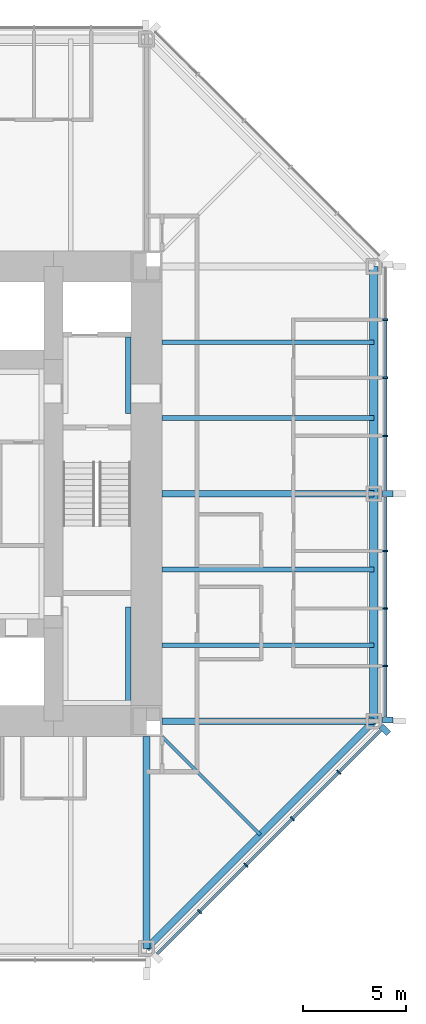
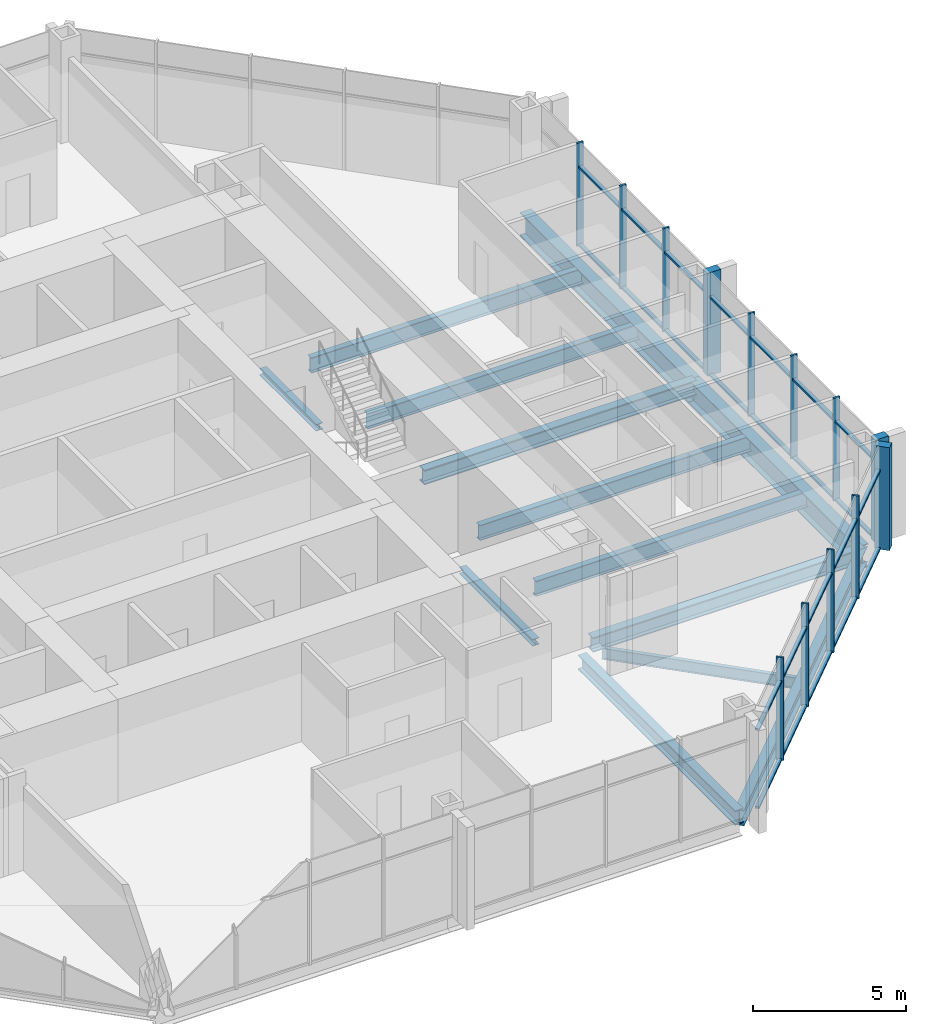
# One storey, part 4 of 14: 37 members, 13 beams, 2 elements without a shape of their own.
"""IFC4 building model written with IfcOpenShell, lengths in metres."""

from ifc_helpers import new_model, si_unit, direction, frame, origin, origin_2d, place, context, subcontext, project, spatial, rectangle, i_section, extrude, material, material_profile, profile_set, type_object, element, aggregate, save


model = new_model("IFC4")

# Units and contexts
model_context = context("Model", 3, precision=1e-05, world=origin(), true_north=direction((0.0, 1.0)))
body_context = subcontext(model_context, "Body", "Model", "MODEL_VIEW")
ifc_project = project(units=[si_unit("LENGTHUNIT", "METRE"), si_unit("AREAUNIT", "SQUARE_METRE"), si_unit("VOLUMEUNIT", "CUBIC_METRE"), si_unit("PLANEANGLEUNIT", "RADIAN"), si_unit("MASSUNIT", "GRAM", prefix="KILO")], contexts=[model_context])

# Site, building, storey
site_placement = place(None, origin())
site = spatial("IfcSite", under=ifc_project, at=site_placement, CompositionType="ELEMENT")
building_placement = place(site_placement, origin())
building = spatial("IfcBuilding", under=site, at=building_placement, Name="Trevanion Tower", CompositionType="ELEMENT")
storey_placement = place(building_placement, frame((0.0, 0.0, 104.89990234375)))
storey = spatial("IfcBuildingStorey", under=building, at=storey_placement, Name="L24", CompositionType="ELEMENT", Elevation=104.89990234375)

# Beams
ifc_material_1 = material(Name="Steel ASTM A992 Grade 50", Category="steel")
ifc_material_profile_1 = material_profile(ifc_material_1, i_section(OverallWidth=0.22900390625, OverallDepth=0.612060546875, WebThickness=0.011962890625, FlangeThickness=0.01953125, at=origin_2d()), Name="W24X84")
ifc_profile_set_1 = profile_set([ifc_material_profile_1], Name="Steel ASTM A992 Grade 50")
beam_type_1 = type_object("IfcBeamType", Name="B7 W24X84", PredefinedType="BEAM", material=ifc_profile_set_1)
for number, where, z_axis, x_axis, name in (
    (1, (11.75, -7.333251953125, -0.49609375), (1.0, 0.0, 0.0), (0.0, 1.0, 0.0), "B7 L24"),
    (2, (11.75, -3.666748046875, -0.49609375), (1.0, 0.0, 0.0), (0.0, 1.0, 0.0), "B7 L24"),
    (3, (11.75, 3.666748046875, -0.49609375), (1.0, 0.0, 0.0), (0.0, 1.0, 0.0), "B7 L24"),
    (4, (11.75, 7.333251953125, -0.49609375), (1.0, 0.0, 0.0), (0.0, 1.0, 0.0), "B7 L24"),
):
    element("IfcBeam", number, at=place(storey_placement, frame(where, z_axis=z_axis, x_axis=x_axis)), inside=storey, type_object=beam_type_1, Name=name, PredefinedType="BEAM", context=body_context, shape_type="SweptSolid", body=[
        extrude(i_section(OverallWidth=0.22900390625, OverallDepth=0.612060546875, WebThickness=0.011962890625, FlangeThickness=0.01953125, at=origin_2d()), origin(), (0.0, 0.0, 1.0), 10.25),
    ])
ifc_material_2 = material(Name="Steel ASTM A992 Grade 50", Category="steel")
ifc_material_profile_2 = material_profile(ifc_material_2, i_section(OverallWidth=0.15234375, OverallDepth=0.449462890625, WebThickness=0.007568359375, FlangeThickness=0.0107421875, at=origin_2d()), Name="W18X35")
ifc_profile_set_2 = profile_set([ifc_material_profile_2], Name="Steel ASTM A992 Grade 50")
beam_type_2 = type_object("IfcBeamType", Name="B8 W18X35", PredefinedType="BEAM", material=ifc_profile_set_2)
beam_1_placement = place(storey_placement, frame((11.75, -11.75, -0.414794921875), z_axis=(0.707106781187, -0.707106781187, 0.0), x_axis=(0.707106781187, 0.707106781187, 0.0)))
element("IfcBeam", 5, at=beam_1_placement, inside=storey, type_object=beam_type_2, Name="B8 L24", PredefinedType="BEAM", context=body_context, shape_type="SweptSolid", body=[
    extrude(i_section(OverallWidth=0.15234375, OverallDepth=0.449462890625, WebThickness=0.007568359375, FlangeThickness=0.0107421875, at=origin_2d()), origin(), (0.0, 0.0, 1.0), 6.717529296875),
])

# Curtain wall, members
ifc_material_3 = material(Name="Aluminium and glass", Category="aluminium")
curtain_wall_type = type_object("IfcCurtainWallType", Name="CW2 curtain wall", PredefinedType="USERDEFINED", material=ifc_material_3)
curtain_wall_1_placement = place(storey_placement, origin())
curtain_wall_1 = element("IfcCurtainWall", 6, at=curtain_wall_1_placement, inside=storey, type_object=curtain_wall_type, Name="CW2 L24 0", ObjectType="UNITISED CURTAIN WALL", PredefinedType="USERDEFINED")
ifc_material_4 = material(Name="Aluminium extrusion, anodised bronze", Category="aluminium")
ifc_material_profile_3 = material_profile(ifc_material_4, rectangle(XDim=0.074951171875, YDim=0.25, at=origin_2d()), Name="CW2 mullion")
ifc_profile_set_3 = profile_set([ifc_material_profile_3], Name="Aluminium extrusion, anodised bronze")
member_type_1 = type_object("IfcMemberType", Name="CW2 mullion", PredefinedType="MULLION", material=ifc_profile_set_3)
member_1_placement = place(storey_placement, frame((22.550048828125, -8.323486328125, -0.18994140625), z_axis=(0.0, 0.0, 1.0), x_axis=(0.0, 1.0, 0.0)))
member_1 = element("IfcMember", 7, at=member_1_placement, type_object=member_type_1, Name="CW2 mullion 2", PredefinedType="MULLION", context=body_context, shape_type="SweptSolid", body=[
    extrude(rectangle(XDim=0.074951171875, YDim=0.25, at=origin_2d()), origin(), (0.0, 0.0, 1.0), 4.10009765625),
])
member_2_placement = place(storey_placement, frame((22.550048828125, -5.548828125, -0.18994140625), z_axis=(0.0, 0.0, 1.0), x_axis=(0.0, 1.0, 0.0)))
member_2 = element("IfcMember", 8, at=member_2_placement, type_object=member_type_1, Name="CW2 mullion 3", PredefinedType="MULLION", context=body_context, shape_type="SweptSolid", body=[
    extrude(rectangle(XDim=0.074951171875, YDim=0.25, at=origin_2d()), origin(), (0.0, 0.0, 1.0), 4.10009765625),
])
member_3_placement = place(storey_placement, frame((22.550048828125, -2.7744140625, -0.18994140625), z_axis=(0.0, 0.0, 1.0), x_axis=(0.0, 1.0, 0.0)))
member_3 = element("IfcMember", 9, at=member_3_placement, type_object=member_type_1, Name="CW2 mullion 4", PredefinedType="MULLION", context=body_context, shape_type="SweptSolid", body=[
    extrude(rectangle(XDim=0.074951171875, YDim=0.25, at=origin_2d()), origin(), (0.0, 0.0, 1.0), 4.10009765625),
])
member_4_placement = place(storey_placement, frame((22.550048828125, 2.806884765625, -0.18994140625), z_axis=(0.0, 0.0, 1.0), x_axis=(0.0, 1.0, 0.0)))
member_4 = element("IfcMember", 10, at=member_4_placement, type_object=member_type_1, Name="CW2 mullion 6", PredefinedType="MULLION", context=body_context, shape_type="SweptSolid", body=[
    extrude(rectangle(XDim=0.074951171875, YDim=0.25, at=origin_2d()), origin(), (0.0, 0.0, 1.0), 4.10009765625),
])
member_5_placement = place(storey_placement, frame((22.550048828125, 5.614013671875, -0.18994140625), z_axis=(0.0, 0.0, 1.0), x_axis=(0.0, 1.0, 0.0)))
member_5 = element("IfcMember", 11, at=member_5_placement, type_object=member_type_1, Name="CW2 mullion 7", PredefinedType="MULLION", context=body_context, shape_type="SweptSolid", body=[
    extrude(rectangle(XDim=0.074951171875, YDim=0.25, at=origin_2d()), origin(), (0.0, 0.0, 1.0), 4.10009765625),
])
member_6_placement = place(storey_placement, frame((22.550048828125, 8.4208984375, -0.18994140625), z_axis=(0.0, 0.0, 1.0), x_axis=(0.0, 1.0, 0.0)))
member_6 = element("IfcMember", 12, at=member_6_placement, type_object=member_type_1, Name="CW2 mullion 8", PredefinedType="MULLION", context=body_context, shape_type="SweptSolid", body=[
    extrude(rectangle(XDim=0.074951171875, YDim=0.25, at=origin_2d()), origin(), (0.0, 0.0, 1.0), 4.10009765625),
])

curtain_wall_2_placement = place(storey_placement, origin())
curtain_wall_2 = element("IfcCurtainWall", 13, at=curtain_wall_2_placement, inside=storey, type_object=curtain_wall_type, Name="CW2 L24 7", ObjectType="UNITISED CURTAIN WALL", PredefinedType="USERDEFINED")
member_7_placement = place(storey_placement, frame((13.56591796875, -20.2119140625, -0.18994140625), z_axis=(0.0, 0.0, 1.0), x_axis=(0.707106781187, 0.707106781187, 0.0)))
member_7 = element("IfcMember", 14, at=member_7_placement, type_object=member_type_1, Name="CW2 mullion 2", PredefinedType="MULLION", context=body_context, shape_type="SweptSolid", body=[
    extrude(rectangle(XDim=0.074951171875, YDim=0.25, at=origin_2d()), origin(), (0.0, 0.0, 1.0), 4.10009765625),
])
member_8_placement = place(storey_placement, frame((15.811767578125, -17.966064453125, -0.18994140625), z_axis=(0.0, 0.0, 1.0), x_axis=(0.707106781187, 0.707106781187, 0.0)))
member_8 = element("IfcMember", 15, at=member_8_placement, type_object=member_type_1, Name="CW2 mullion 3", PredefinedType="MULLION", context=body_context, shape_type="SweptSolid", body=[
    extrude(rectangle(XDim=0.074951171875, YDim=0.25, at=origin_2d()), origin(), (0.0, 0.0, 1.0), 4.10009765625),
])
member_9_placement = place(storey_placement, frame((18.057861328125, -15.719970703125, -0.18994140625), z_axis=(0.0, 0.0, 1.0), x_axis=(0.707106781187, 0.707106781187, 0.0)))
member_9 = element("IfcMember", 16, at=member_9_placement, type_object=member_type_1, Name="CW2 mullion 4", PredefinedType="MULLION", context=body_context, shape_type="SweptSolid", body=[
    extrude(rectangle(XDim=0.074951171875, YDim=0.25, at=origin_2d()), origin(), (0.0, 0.0, 1.0), 4.10009765625),
])
member_10_placement = place(storey_placement, frame((20.303955078125, -13.473876953125, -0.18994140625), z_axis=(0.0, 0.0, 1.0), x_axis=(0.707106781187, 0.707106781187, 0.0)))
member_10 = element("IfcMember", 17, at=member_10_placement, type_object=member_type_1, Name="CW2 mullion 5", PredefinedType="MULLION", context=body_context, shape_type="SweptSolid", body=[
    extrude(rectangle(XDim=0.074951171875, YDim=0.25, at=origin_2d()), origin(), (0.0, 0.0, 1.0), 4.10009765625),
])

# Member
ifc_material_5 = material(Name="Aluminium extrusion, anodised bronze", Category="aluminium")
ifc_material_profile_4 = material_profile(ifc_material_5, rectangle(XDim=0.300048828125, YDim=0.5, at=origin_2d()), Name="CW2 pier mullion")
ifc_profile_set_4 = profile_set([ifc_material_profile_4], Name="Aluminium extrusion, anodised bronze")
member_type_2 = type_object("IfcMemberType", Name="CW2 pier mullion", PredefinedType="MULLION", material=ifc_profile_set_4)
member_11_placement = place(storey_placement, frame((22.675048828125, -10.94775390625, -0.18994140625), z_axis=(0.0, 0.0, 1.0), x_axis=(0.0, 1.0, 0.0)))
member_11 = element("IfcMember", 18, at=member_11_placement, type_object=member_type_2, Name="CW2 pier mullion 1", PredefinedType="MULLION", context=body_context, shape_type="SweptSolid", body=[
    extrude(rectangle(XDim=0.300048828125, YDim=0.5, at=origin_2d()), origin(), (0.0, 0.0, 1.0), 4.10009765625),
])

member_12_placement = place(storey_placement, frame((22.675048828125, 0.0, -0.18994140625), z_axis=(0.0, 0.0, 1.0), x_axis=(0.0, 1.0, 0.0)))
member_12 = element("IfcMember", 19, at=member_12_placement, type_object=member_type_2, Name="CW2 pier mullion 5", PredefinedType="MULLION", context=body_context, shape_type="SweptSolid", body=[
    extrude(rectangle(XDim=0.300048828125, YDim=0.5, at=origin_2d()), origin(), (0.0, 0.0, 1.0), 4.10009765625),
])

member_13_placement = place(storey_placement, frame((22.5322265625, -11.42236328125, -0.18994140625), z_axis=(0.0, 0.0, 1.0), x_axis=(0.707106781187, 0.707106781187, 0.0)))
member_13 = element("IfcMember", 20, at=member_13_placement, type_object=member_type_2, Name="CW2 pier mullion 6", PredefinedType="MULLION", context=body_context, shape_type="SweptSolid", body=[
    extrude(rectangle(XDim=0.300048828125, YDim=0.5, at=origin_2d()), origin(), (0.0, 0.0, 1.0), 4.10009765625),
])

ifc_material_6 = material(Name="Aluminium extrusion, anodised bronze", Category="aluminium")
ifc_material_profile_5 = material_profile(ifc_material_6, rectangle(XDim=0.14990234375, YDim=0.074951171875, at=origin_2d()), Name="CW2 transom")
ifc_profile_set_5 = profile_set([ifc_material_profile_5], Name="Aluminium extrusion, anodised bronze")
member_type_3 = type_object("IfcMemberType", Name="CW2 transom", PredefinedType="USERDEFINED", material=ifc_profile_set_5)
member_14_placement = place(storey_placement, frame((22.550048828125, -10.7978515625, -0.15234375), z_axis=(0.0, 1.0, 0.0), x_axis=(-1.0, 0.0, 0.0)))
member_14 = element("IfcMember", 21, at=member_14_placement, type_object=member_type_3, Name="CW2 transom 1.1", ObjectType="TRANSOM", PredefinedType="USERDEFINED", context=body_context, shape_type="SweptSolid", body=[
    extrude(rectangle(XDim=0.14990234375, YDim=0.074951171875, at=origin_2d()), origin(), (0.0, 0.0, 1.0), 2.43701171875),
])

member_15_placement = place(storey_placement, frame((22.550048828125, -10.7978515625, 2.960205078125), z_axis=(0.0, 1.0, 0.0), x_axis=(-1.0, 0.0, 0.0)))
member_15 = element("IfcMember", 22, at=member_15_placement, type_object=member_type_3, Name="CW2 transom 1.2", ObjectType="TRANSOM", PredefinedType="USERDEFINED", context=body_context, shape_type="SweptSolid", body=[
    extrude(rectangle(XDim=0.14990234375, YDim=0.074951171875, at=origin_2d()), origin(), (0.0, 0.0, 1.0), 2.43701171875),
])

member_16_placement = place(storey_placement, frame((22.550048828125, -8.285888671875, -0.15234375), z_axis=(0.0, 1.0, 0.0), x_axis=(-1.0, 0.0, 0.0)))
member_16 = element("IfcMember", 23, at=member_16_placement, type_object=member_type_3, Name="CW2 transom 2.1", ObjectType="TRANSOM", PredefinedType="USERDEFINED", context=body_context, shape_type="SweptSolid", body=[
    extrude(rectangle(XDim=0.14990234375, YDim=0.074951171875, at=origin_2d()), origin(), (0.0, 0.0, 1.0), 2.699462890625),
])

member_17_placement = place(storey_placement, frame((22.550048828125, -8.285888671875, 2.960205078125), z_axis=(0.0, 1.0, 0.0), x_axis=(-1.0, 0.0, 0.0)))
member_17 = element("IfcMember", 24, at=member_17_placement, type_object=member_type_3, Name="CW2 transom 2.2", ObjectType="TRANSOM", PredefinedType="USERDEFINED", context=body_context, shape_type="SweptSolid", body=[
    extrude(rectangle(XDim=0.14990234375, YDim=0.074951171875, at=origin_2d()), origin(), (0.0, 0.0, 1.0), 2.699462890625),
])

member_18_placement = place(storey_placement, frame((22.550048828125, -5.511474609375, -0.15234375), z_axis=(0.0, 1.0, 0.0), x_axis=(-1.0, 0.0, 0.0)))
member_18 = element("IfcMember", 25, at=member_18_placement, type_object=member_type_3, Name="CW2 transom 3.1", ObjectType="TRANSOM", PredefinedType="USERDEFINED", context=body_context, shape_type="SweptSolid", body=[
    extrude(rectangle(XDim=0.14990234375, YDim=0.074951171875, at=origin_2d()), origin(), (0.0, 0.0, 1.0), 2.699462890625),
])

member_19_placement = place(storey_placement, frame((22.550048828125, -5.511474609375, 2.960205078125), z_axis=(0.0, 1.0, 0.0), x_axis=(-1.0, 0.0, 0.0)))
member_19 = element("IfcMember", 26, at=member_19_placement, type_object=member_type_3, Name="CW2 transom 3.2", ObjectType="TRANSOM", PredefinedType="USERDEFINED", context=body_context, shape_type="SweptSolid", body=[
    extrude(rectangle(XDim=0.14990234375, YDim=0.074951171875, at=origin_2d()), origin(), (0.0, 0.0, 1.0), 2.699462890625),
])

member_20_placement = place(storey_placement, frame((22.550048828125, -2.737060546875, -0.15234375), z_axis=(0.0, 1.0, 0.0), x_axis=(-1.0, 0.0, 0.0)))
member_20 = element("IfcMember", 27, at=member_20_placement, type_object=member_type_3, Name="CW2 transom 4.1", ObjectType="TRANSOM", PredefinedType="USERDEFINED", context=body_context, shape_type="SweptSolid", body=[
    extrude(rectangle(XDim=0.14990234375, YDim=0.074951171875, at=origin_2d()), origin(), (0.0, 0.0, 1.0), 2.587158203125),
])

member_21_placement = place(storey_placement, frame((22.550048828125, -2.737060546875, 2.960205078125), z_axis=(0.0, 1.0, 0.0), x_axis=(-1.0, 0.0, 0.0)))
member_21 = element("IfcMember", 28, at=member_21_placement, type_object=member_type_3, Name="CW2 transom 4.2", ObjectType="TRANSOM", PredefinedType="USERDEFINED", context=body_context, shape_type="SweptSolid", body=[
    extrude(rectangle(XDim=0.14990234375, YDim=0.074951171875, at=origin_2d()), origin(), (0.0, 0.0, 1.0), 2.587158203125),
])

member_22_placement = place(storey_placement, frame((22.550048828125, 0.14990234375, -0.15234375), z_axis=(0.0, 1.0, 0.0), x_axis=(-1.0, 0.0, 0.0)))
member_22 = element("IfcMember", 29, at=member_22_placement, type_object=member_type_3, Name="CW2 transom 5.1", ObjectType="TRANSOM", PredefinedType="USERDEFINED", context=body_context, shape_type="SweptSolid", body=[
    extrude(rectangle(XDim=0.14990234375, YDim=0.074951171875, at=origin_2d()), origin(), (0.0, 0.0, 1.0), 2.619384765625),
])

member_23_placement = place(storey_placement, frame((22.550048828125, 0.14990234375, 2.960205078125), z_axis=(0.0, 1.0, 0.0), x_axis=(-1.0, 0.0, 0.0)))
member_23 = element("IfcMember", 30, at=member_23_placement, type_object=member_type_3, Name="CW2 transom 5.2", ObjectType="TRANSOM", PredefinedType="USERDEFINED", context=body_context, shape_type="SweptSolid", body=[
    extrude(rectangle(XDim=0.14990234375, YDim=0.074951171875, at=origin_2d()), origin(), (0.0, 0.0, 1.0), 2.619384765625),
])

member_24_placement = place(storey_placement, frame((22.550048828125, 2.844482421875, -0.15234375), z_axis=(0.0, 1.0, 0.0), x_axis=(-1.0, 0.0, 0.0)))
member_24 = element("IfcMember", 31, at=member_24_placement, type_object=member_type_3, Name="CW2 transom 6.1", ObjectType="TRANSOM", PredefinedType="USERDEFINED", context=body_context, shape_type="SweptSolid", body=[
    extrude(rectangle(XDim=0.14990234375, YDim=0.074951171875, at=origin_2d()), origin(), (0.0, 0.0, 1.0), 2.73193359375),
])

member_25_placement = place(storey_placement, frame((22.550048828125, 2.844482421875, 2.960205078125), z_axis=(0.0, 1.0, 0.0), x_axis=(-1.0, 0.0, 0.0)))
member_25 = element("IfcMember", 32, at=member_25_placement, type_object=member_type_3, Name="CW2 transom 6.2", ObjectType="TRANSOM", PredefinedType="USERDEFINED", context=body_context, shape_type="SweptSolid", body=[
    extrude(rectangle(XDim=0.14990234375, YDim=0.074951171875, at=origin_2d()), origin(), (0.0, 0.0, 1.0), 2.73193359375),
])

member_26_placement = place(storey_placement, frame((22.550048828125, 5.6513671875, -0.15234375), z_axis=(0.0, 1.0, 0.0), x_axis=(-1.0, 0.0, 0.0)))
member_26 = element("IfcMember", 33, at=member_26_placement, type_object=member_type_3, Name="CW2 transom 7.1", ObjectType="TRANSOM", PredefinedType="USERDEFINED", context=body_context, shape_type="SweptSolid", body=[
    extrude(rectangle(XDim=0.14990234375, YDim=0.074951171875, at=origin_2d()), origin(), (0.0, 0.0, 1.0), 2.73193359375),
])

member_27_placement = place(storey_placement, frame((22.550048828125, 5.6513671875, 2.960205078125), z_axis=(0.0, 1.0, 0.0), x_axis=(-1.0, 0.0, 0.0)))
member_27 = element("IfcMember", 34, at=member_27_placement, type_object=member_type_3, Name="CW2 transom 7.2", ObjectType="TRANSOM", PredefinedType="USERDEFINED", context=body_context, shape_type="SweptSolid", body=[
    extrude(rectangle(XDim=0.14990234375, YDim=0.074951171875, at=origin_2d()), origin(), (0.0, 0.0, 1.0), 2.73193359375),
])

aggregate(curtain_wall_1, [member_11, member_1, member_2, member_3, member_12, member_4, member_5, member_6, member_14, member_15, member_16, member_17, member_18, member_19, member_20, member_21, member_22, member_23, member_24, member_25, member_26, member_27])

member_28_placement = place(storey_placement, frame((11.531982421875, -22.245849609375, -0.15234375), z_axis=(0.707106781187, 0.707106781187, 0.0), x_axis=(-0.707106781187, 0.707106781187, 0.0)))
member_28 = element("IfcMember", 35, at=member_28_placement, type_object=member_type_3, Name="CW2 transom 1.1", ObjectType="TRANSOM", PredefinedType="USERDEFINED", context=body_context, shape_type="SweptSolid", body=[
    extrude(rectangle(XDim=0.14990234375, YDim=0.074951171875, at=origin_2d()), origin(), (0.0, 0.0, 1.0), 2.8388671875),
])

member_29_placement = place(storey_placement, frame((11.531982421875, -22.245849609375, 2.960205078125), z_axis=(0.707106781187, 0.707106781187, 0.0), x_axis=(-0.707106781187, 0.707106781187, 0.0)))
member_29 = element("IfcMember", 36, at=member_29_placement, type_object=member_type_3, Name="CW2 transom 1.2", ObjectType="TRANSOM", PredefinedType="USERDEFINED", context=body_context, shape_type="SweptSolid", body=[
    extrude(rectangle(XDim=0.14990234375, YDim=0.074951171875, at=origin_2d()), origin(), (0.0, 0.0, 1.0), 2.8388671875),
])

member_30_placement = place(storey_placement, frame((13.59228515625, -20.185546875, -0.15234375), z_axis=(0.707106781187, 0.707106781187, 0.0), x_axis=(-0.707106781187, 0.707106781187, 0.0)))
member_30 = element("IfcMember", 37, at=member_30_placement, type_object=member_type_3, Name="CW2 transom 2.1", ObjectType="TRANSOM", PredefinedType="USERDEFINED", context=body_context, shape_type="SweptSolid", body=[
    extrude(rectangle(XDim=0.14990234375, YDim=0.074951171875, at=origin_2d()), origin(), (0.0, 0.0, 1.0), 3.1015625),
])

member_31_placement = place(storey_placement, frame((13.59228515625, -20.185546875, 2.960205078125), z_axis=(0.707106781187, 0.707106781187, 0.0), x_axis=(-0.707106781187, 0.707106781187, 0.0)))
member_31 = element("IfcMember", 38, at=member_31_placement, type_object=member_type_3, Name="CW2 transom 2.2", ObjectType="TRANSOM", PredefinedType="USERDEFINED", context=body_context, shape_type="SweptSolid", body=[
    extrude(rectangle(XDim=0.14990234375, YDim=0.074951171875, at=origin_2d()), origin(), (0.0, 0.0, 1.0), 3.1015625),
])

member_32_placement = place(storey_placement, frame((15.83837890625, -17.939453125, -0.15234375), z_axis=(0.707106781187, 0.707106781187, 0.0), x_axis=(-0.707106781187, 0.707106781187, 0.0)))
member_32 = element("IfcMember", 39, at=member_32_placement, type_object=member_type_3, Name="CW2 transom 3.1", ObjectType="TRANSOM", PredefinedType="USERDEFINED", context=body_context, shape_type="SweptSolid", body=[
    extrude(rectangle(XDim=0.14990234375, YDim=0.074951171875, at=origin_2d()), origin(), (0.0, 0.0, 1.0), 3.1015625),
])

member_33_placement = place(storey_placement, frame((15.83837890625, -17.939453125, 2.960205078125), z_axis=(0.707106781187, 0.707106781187, 0.0), x_axis=(-0.707106781187, 0.707106781187, 0.0)))
member_33 = element("IfcMember", 40, at=member_33_placement, type_object=member_type_3, Name="CW2 transom 3.2", ObjectType="TRANSOM", PredefinedType="USERDEFINED", context=body_context, shape_type="SweptSolid", body=[
    extrude(rectangle(XDim=0.14990234375, YDim=0.074951171875, at=origin_2d()), origin(), (0.0, 0.0, 1.0), 3.1015625),
])

member_34_placement = place(storey_placement, frame((18.08447265625, -15.693359375, -0.15234375), z_axis=(0.707106781187, 0.707106781187, 0.0), x_axis=(-0.707106781187, 0.707106781187, 0.0)))
member_34 = element("IfcMember", 41, at=member_34_placement, type_object=member_type_3, Name="CW2 transom 4.1", ObjectType="TRANSOM", PredefinedType="USERDEFINED", context=body_context, shape_type="SweptSolid", body=[
    extrude(rectangle(XDim=0.14990234375, YDim=0.074951171875, at=origin_2d()), origin(), (0.0, 0.0, 1.0), 3.10107421875),
])

member_35_placement = place(storey_placement, frame((18.08447265625, -15.693359375, 2.960205078125), z_axis=(0.707106781187, 0.707106781187, 0.0), x_axis=(-0.707106781187, 0.707106781187, 0.0)))
member_35 = element("IfcMember", 42, at=member_35_placement, type_object=member_type_3, Name="CW2 transom 4.2", ObjectType="TRANSOM", PredefinedType="USERDEFINED", context=body_context, shape_type="SweptSolid", body=[
    extrude(rectangle(XDim=0.14990234375, YDim=0.074951171875, at=origin_2d()), origin(), (0.0, 0.0, 1.0), 3.10107421875),
])

member_36_placement = place(storey_placement, frame((20.33056640625, -13.447509765625, -0.15234375), z_axis=(0.707063781595, 0.707149778163, 0.0), x_axis=(-0.707149778163, 0.707063781595, 0.0)))
member_36 = element("IfcMember", 43, at=member_36_placement, type_object=member_type_3, Name="CW2 transom 5.1", ObjectType="TRANSOM", PredefinedType="USERDEFINED", context=body_context, shape_type="SweptSolid", body=[
    extrude(rectangle(XDim=0.14990234375, YDim=0.074951171875, at=origin_2d()), origin(), (0.0, 0.0, 1.0), 2.8388671875),
])

member_37_placement = place(storey_placement, frame((20.33056640625, -13.447509765625, 2.960205078125), z_axis=(0.707063781595, 0.707149778163, 0.0), x_axis=(-0.707149778163, 0.707063781595, 0.0)))
member_37 = element("IfcMember", 44, at=member_37_placement, type_object=member_type_3, Name="CW2 transom 5.2", ObjectType="TRANSOM", PredefinedType="USERDEFINED", context=body_context, shape_type="SweptSolid", body=[
    extrude(rectangle(XDim=0.14990234375, YDim=0.074951171875, at=origin_2d()), origin(), (0.0, 0.0, 1.0), 2.8388671875),
])

aggregate(curtain_wall_2, [member_7, member_8, member_9, member_10, member_13, member_28, member_29, member_30, member_31, member_32, member_33, member_34, member_35, member_36, member_37])

# Beams
ifc_material_7 = material(Name="Steel ASTM A992 Grade 50", Category="steel")
ifc_material_profile_6 = material_profile(ifc_material_7, i_section(OverallWidth=0.320068359375, OverallDepth=0.584228515625, WebThickness=0.023193359375, FlangeThickness=0.04150390625, at=origin_2d()), Name="W21X201")
ifc_profile_set_6 = profile_set([ifc_material_profile_6], Name="Steel ASTM A992 Grade 50")
beam_type_3 = type_object("IfcBeamType", Name="G4 W21X201", PredefinedType="BEAM", material=ifc_profile_set_6)
for number, where, z_axis, x_axis, name in (
    (45, (11.75, -11.0, -0.48193359375), (1.0, 0.0, 0.0), (0.0, 1.0, 0.0), "G4 L24"),
    (46, (11.75, 0.0, -0.48193359375), (1.0, 0.0, 0.0), (0.0, 1.0, 0.0), "G4 L24"),
    (47, (11.0, -11.75, -0.48193359375), (0.0, -1.0, 0.0), (1.0, 0.0, 0.0), "G4 L24"),
):
    element("IfcBeam", number, at=place(storey_placement, frame(where, z_axis=z_axis, x_axis=x_axis)), inside=storey, type_object=beam_type_3, Name=name, PredefinedType="BEAM", context=body_context, shape_type="SweptSolid", body=[
        extrude(i_section(OverallWidth=0.320068359375, OverallDepth=0.584228515625, WebThickness=0.023193359375, FlangeThickness=0.04150390625, at=origin_2d()), origin(), (0.0, 0.0, 1.0), 10.25),
    ])
ifc_material_8 = material(Name="Steel ASTM A992 Grade 50", Category="steel")
ifc_material_profile_7 = material_profile(ifc_material_8, i_section(OverallWidth=0.256591796875, OverallDepth=0.26416015625, WebThickness=0.011962890625, FlangeThickness=0.01953125, at=origin_2d()), Name="W10X68")
ifc_profile_set_7 = profile_set([ifc_material_profile_7], Name="Steel ASTM A992 Grade 50")
beam_type_4 = type_object("IfcBeamType", Name="LB1 W10X68", PredefinedType="BEAM", material=ifc_profile_set_7)
beam_2_placement = place(storey_placement, frame((10.12158203125, 3.875, -0.33203125), z_axis=(0.0, 1.0, 0.0), x_axis=(-1.0, 0.0, 0.0)))
element("IfcBeam", 48, at=beam_2_placement, inside=storey, type_object=beam_type_4, Name="LB1 L24", PredefinedType="BEAM", context=body_context, shape_type="SweptSolid", body=[
    extrude(i_section(OverallWidth=0.256591796875, OverallDepth=0.26416015625, WebThickness=0.011962890625, FlangeThickness=0.01953125, at=origin_2d()), origin(), (0.0, 0.0, 1.0), 3.699951171875),
])
beam_3_placement = place(storey_placement, frame((10.12158203125, -10.25, -0.33203125), z_axis=(0.0, 1.0, 0.0), x_axis=(-1.0, 0.0, 0.0)))
element("IfcBeam", 49, at=beam_3_placement, inside=storey, type_object=beam_type_4, Name="LB1 L24", PredefinedType="BEAM", context=body_context, shape_type="SweptSolid", body=[
    extrude(i_section(OverallWidth=0.256591796875, OverallDepth=0.26416015625, WebThickness=0.011962890625, FlangeThickness=0.01953125, at=origin_2d()), origin(), (0.0, 0.0, 1.0), 4.77490234375),
])
ifc_material_9 = material(Name="Steel ASTM A992 Grade 50", Category="steel")
ifc_material_profile_8 = material_profile(ifc_material_9, i_section(OverallWidth=0.419189453125, OverallDepth=0.927001953125, WebThickness=0.019287109375, FlangeThickness=0.031982421875, at=origin_2d()), Name="W36X231")
ifc_profile_set_8 = profile_set([ifc_material_profile_8], Name="Steel ASTM A992 Grade 50")
beam_type_5 = type_object("IfcBeamType", Name="SB4 W36X231", PredefinedType="SPANDREL", material=ifc_profile_set_8)
for number, where, z_axis, x_axis, name in (
    (50, (22.0, -11.0, -0.6533203125), (0.0, 1.0, 0.0), (-1.0, 0.0, 0.0), "SB4 L24"),
    (51, (22.0, 0.0, -0.6533203125), (0.0, 1.0, 0.0), (-1.0, 0.0, 0.0), "SB4 L24"),
):
    element("IfcBeam", number, at=place(storey_placement, frame(where, z_axis=z_axis, x_axis=x_axis)), inside=storey, type_object=beam_type_5, Name=name, PredefinedType="SPANDREL", context=body_context, shape_type="SweptSolid", body=[
        extrude(i_section(OverallWidth=0.419189453125, OverallDepth=0.927001953125, WebThickness=0.019287109375, FlangeThickness=0.031982421875, at=origin_2d()), origin(), (0.0, 0.0, 1.0), 11.0),
    ])
ifc_material_10 = material(Name="Steel ASTM A992 Grade 50", Category="steel")
ifc_material_profile_9 = material_profile(ifc_material_10, i_section(OverallWidth=0.32763671875, OverallDepth=0.62744140625, WebThickness=0.0166015625, FlangeThickness=0.027587890625, at=origin_2d()), Name="W24X146")
ifc_profile_set_9 = profile_set([ifc_material_profile_9], Name="Steel ASTM A992 Grade 50")
beam_type_6 = type_object("IfcBeamType", Name="SB5 W24X146", PredefinedType="SPANDREL", material=ifc_profile_set_9)
beam_4_placement = place(storey_placement, frame((11.0, -22.0, -0.503662109375), z_axis=(0.707106781187, 0.707106781187, 0.0), x_axis=(-0.707106781187, 0.707106781187, 0.0)))
element("IfcBeam", 52, at=beam_4_placement, inside=storey, type_object=beam_type_6, Name="SB5 L24", PredefinedType="SPANDREL", context=body_context, shape_type="SweptSolid", body=[
    extrude(i_section(OverallWidth=0.32763671875, OverallDepth=0.62744140625, WebThickness=0.0166015625, FlangeThickness=0.027587890625, at=origin_2d()), origin(), (0.0, 0.0, 1.0), 15.556396484375),
])

save(model, "model.ifc")
